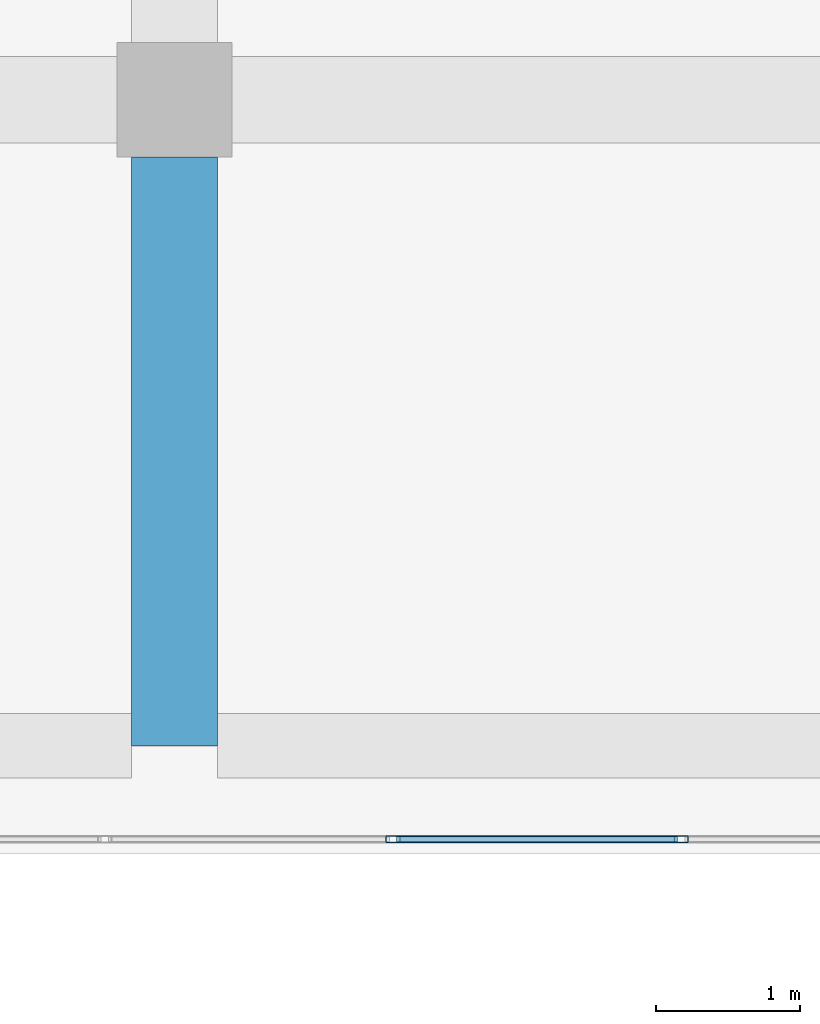
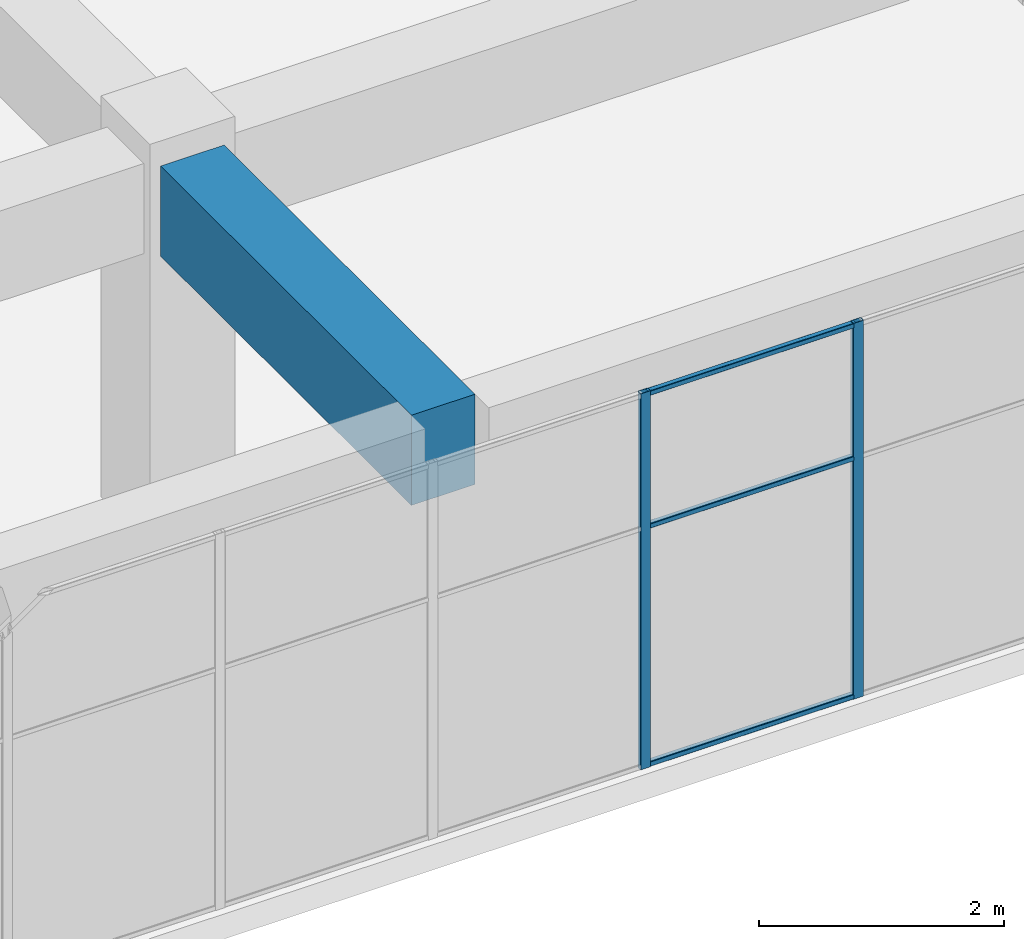
# One storey, part 20 of 65: 5 members, 1 beam, 1 element without a shape of its own.
"""IFC4 building model written with IfcOpenShell, lengths in metres."""

from ifc_helpers import new_model, si_unit, direction, frame, origin, origin_2d, place, context, subcontext, project, spatial, rectangle, hollow_rectangle, extrude, material, layer, layer_set, material_profile, profile_set, type_object, element, aggregate, save


model = new_model("IFC4")

# Units and contexts
model_context = context("Model", 3, precision=1e-05, world=origin(), true_north=direction((0.0, 1.0)))
body_context = subcontext(model_context, "Body", "Model", "MODEL_VIEW")
ifc_project = project(units=[si_unit("LENGTHUNIT", "METRE"), si_unit("AREAUNIT", "SQUARE_METRE"), si_unit("VOLUMEUNIT", "CUBIC_METRE"), si_unit("PLANEANGLEUNIT", "RADIAN"), si_unit("MASSUNIT", "GRAM", prefix="KILO")], contexts=[model_context])

# Site, building, storey
site_placement = place(None, origin())
site = spatial("IfcSite", under=ifc_project, at=site_placement, CompositionType="ELEMENT")
building_placement = place(site_placement, origin())
building = spatial("IfcBuilding", under=site, at=building_placement, Name="Tuart Plaza Theatre", CompositionType="ELEMENT")
storey_placement = place(building_placement, frame((0.0, 0.0, 9.5)))
storey = spatial("IfcBuildingStorey", under=building, at=storey_placement, Name="L02", CompositionType="ELEMENT", Elevation=9.5)

# Beam
ifc_material_1 = material(Name="Concrete N40 (40 MPa)", Category="concrete")
ifc_material_profile_1 = material_profile(ifc_material_1, rectangle(XDim=0.60009765625, YDim=0.89990234375, at=origin_2d()), Name="BEAM 600x900 Concrete N40 (40 MPa)")
ifc_profile_set_1 = profile_set([ifc_material_profile_1], Name="Concrete N40 (40 MPa)")
beam_type = type_object("IfcBeamType", Name="BEAM 600x900 Concrete N40 (40 MPa)", PredefinedType="BEAM", material=ifc_profile_set_1)
beam_placement = place(storey_placement, frame((141.0, 51.5, 3.300048828125), z_axis=(0.0, 1.0, 0.0), x_axis=(-1.0, 0.0, 0.0)))
element("IfcBeam", 1, at=beam_placement, inside=storey, type_object=beam_type, Name="RB188", PredefinedType="BEAM", context=body_context, shape_type="SweptSolid", body=[
    extrude(rectangle(XDim=0.60009765625, YDim=0.89990234375, at=origin_2d()), origin(), (0.0, 0.0, 1.0), 4.10009765625),
])

# Curtain wall, members
ifc_material_2 = material(Name="Aluminium and glass", Category="aluminium")
ifc_layer = layer(ifc_material_2, 0.10009765625)
ifc_layer_set = layer_set([ifc_layer], Name="CURTAIN WALL 2000 module")
curtain_wall_type = type_object("IfcCurtainWallType", Name="CURTAIN WALL 2000 module", PredefinedType="NOTDEFINED", material=ifc_layer_set)
curtain_wall_placement = place(storey_placement, origin())
curtain_wall = element("IfcCurtainWall", 2, at=curtain_wall_placement, inside=storey, type_object=curtain_wall_type, Name="CW68", PredefinedType="NOTDEFINED")
ifc_material_3 = material(Name="Aluminium 6063-T5", Category="aluminium")
ifc_material_profile_2 = material_profile(ifc_material_3, hollow_rectangle(XDim=0.050048828125, YDim=0.10009765625, WallThickness=0.00390625, InnerFilletRadius=0.00390625, OuterFilletRadius=0.008056640625, at=origin_2d()), Name="RHS 100x50x4")
ifc_profile_set_2 = profile_set([ifc_material_profile_2], Name="Aluminium 6063-T5")
member_type_1 = type_object("IfcMemberType", Name="MULLION RHS 100x50x4", PredefinedType="MULLION", material=ifc_profile_set_2)
member_1_placement = place(storey_placement, frame((142.521484375, 50.85009765625, 0.0), z_axis=(0.0, 0.0, 1.0), x_axis=(0.0, 1.0, 0.0)))
member_1 = element("IfcMember", 3, at=member_1_placement, type_object=member_type_1, Name="CW68 mullion 11", PredefinedType="MULLION", context=body_context, shape_type="SweptSolid", body=[
    extrude(hollow_rectangle(XDim=0.050048828125, YDim=0.10009765625, WallThickness=0.00390625, InnerFilletRadius=0.00390625, OuterFilletRadius=0.008056640625, at=origin_2d()), origin(), (0.0, 0.0, 1.0), 3.75),
])
member_2_placement = place(storey_placement, frame((144.528564453125, 50.85009765625, 0.0), z_axis=(0.0, 0.0, 1.0), x_axis=(0.0, 1.0, 0.0)))
member_2 = element("IfcMember", 4, at=member_2_placement, type_object=member_type_1, Name="CW68 mullion 12", PredefinedType="MULLION", context=body_context, shape_type="SweptSolid", body=[
    extrude(hollow_rectangle(XDim=0.050048828125, YDim=0.10009765625, WallThickness=0.00390625, InnerFilletRadius=0.00390625, OuterFilletRadius=0.008056640625, at=origin_2d()), origin(), (0.0, 0.0, 1.0), 3.75),
])
ifc_material_4 = material(Name="Aluminium 6063-T5", Category="aluminium")
ifc_material_profile_3 = material_profile(ifc_material_4, hollow_rectangle(XDim=0.050048828125, YDim=0.050048828125, WallThickness=0.00390625, InnerFilletRadius=0.00390625, OuterFilletRadius=0.008056640625, at=origin_2d()), Name="RHS 50x50x4")
ifc_profile_set_3 = profile_set([ifc_material_profile_3], Name="Aluminium 6063-T5")
member_type_2 = type_object("IfcMemberType", Name="TRANSOM RHS 50x50x4", PredefinedType="USERDEFINED", material=ifc_profile_set_3)
member_3_placement = place(storey_placement, frame((142.54638671875, 50.85009765625, 0.02490234375), z_axis=(1.0, 0.0, 0.0), x_axis=(0.0, 1.0, 0.0)))
member_3 = element("IfcMember", 5, at=member_3_placement, type_object=member_type_2, Name="CW68 transom 11.1", ObjectType="TRANSOM", PredefinedType="USERDEFINED", context=body_context, shape_type="SweptSolid", body=[
    extrude(hollow_rectangle(XDim=0.050048828125, YDim=0.050048828125, WallThickness=0.00390625, InnerFilletRadius=0.00390625, OuterFilletRadius=0.008056640625, at=origin_2d()), origin(), (0.0, 0.0, 1.0), 1.957275390625),
])
member_4_placement = place(storey_placement, frame((142.54638671875, 50.85009765625, 2.39990234375), z_axis=(1.0, 0.0, 0.0), x_axis=(0.0, 1.0, 0.0)))
member_4 = element("IfcMember", 6, at=member_4_placement, type_object=member_type_2, Name="CW68 transom 11.2", ObjectType="TRANSOM", PredefinedType="USERDEFINED", context=body_context, shape_type="SweptSolid", body=[
    extrude(hollow_rectangle(XDim=0.050048828125, YDim=0.050048828125, WallThickness=0.00390625, InnerFilletRadius=0.00390625, OuterFilletRadius=0.008056640625, at=origin_2d()), origin(), (0.0, 0.0, 1.0), 1.957275390625),
])
member_5_placement = place(storey_placement, frame((142.54638671875, 50.85009765625, 3.72509765625), z_axis=(1.0, 0.0, 0.0), x_axis=(0.0, 1.0, 0.0)))
member_5 = element("IfcMember", 7, at=member_5_placement, type_object=member_type_2, Name="CW68 transom 11.3", ObjectType="TRANSOM", PredefinedType="USERDEFINED", context=body_context, shape_type="SweptSolid", body=[
    extrude(hollow_rectangle(XDim=0.050048828125, YDim=0.050048828125, WallThickness=0.00390625, InnerFilletRadius=0.00390625, OuterFilletRadius=0.008056640625, at=origin_2d()), origin(), (0.0, 0.0, 1.0), 1.957275390625),
])
aggregate(curtain_wall, [member_1, member_2, member_3, member_4, member_5])

save(model, "model.ifc")
